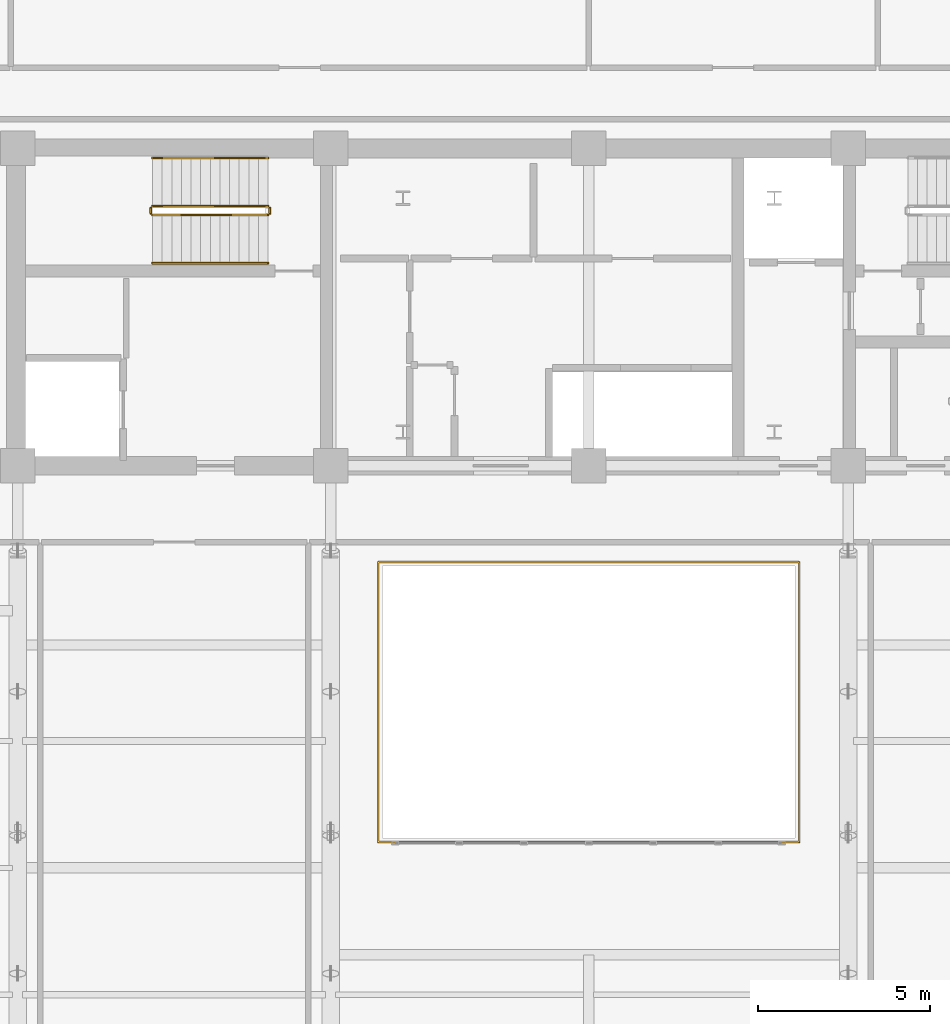
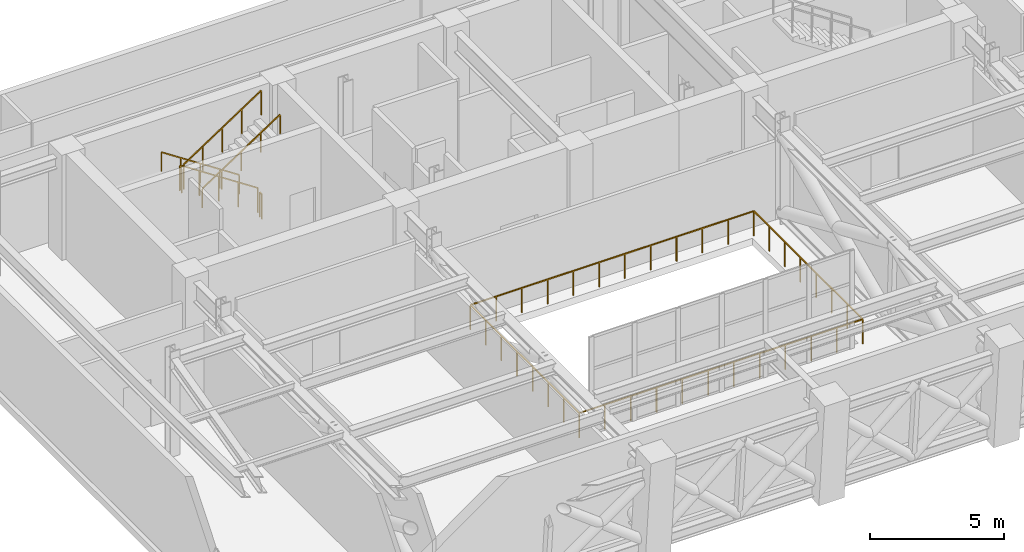
# One storey, part 10 of 12: 7 railings.
"""IFC4 building model written with IfcOpenShell, lengths in metres."""

import ifcopenshell
import ifcopenshell.guid

model = None  # the IFC model being written
_history = None  # IfcOwnerHistory: only IFC2X3 demands one
_inside = {}  # id of a spatial element -> (the spatial element, [elements in it])
_under = {}  # id of a project, library or spatial element -> (it, [spatial elements below it])
_declared = {}  # id of a project -> (the project, [libraries it declares])
_typed = {}  # id of a type object -> (the type object, [elements of that type])
_made_of = {}  # id of a material, layer set ... -> (it, [elements and type objects made of it])


def new_model(schema):
    """Start an empty IFC model of exactly this schema.

    Asked for "IFC4X3", IfcOpenShell would pick the latest addendum, in which some entities
    have other attributes; the version numbers below select the first issue.
    IFC2X3 requires an IfcOwnerHistory on every rooted entity: one is made here for all.
    """
    global model, _history
    if schema == "IFC4X3":
        model = ifcopenshell.file(schema_version=(4, 3, 0, 0))
    else:
        model = ifcopenshell.file(schema=schema)
    _inside.clear()
    _under.clear()
    _declared.clear()
    _typed.clear()
    _made_of.clear()
    _history = None
    if model.schema == "IFC2X3":
        org = make("IfcOrganization", Name="unknown")
        user = make(
            "IfcPersonAndOrganization",
            ThePerson=make("IfcPerson", FamilyName="unknown"),
            TheOrganization=org,
        )
        app = make(
            "IfcApplication",
            ApplicationDeveloper=org,
            Version="unknown",
            ApplicationFullName="unknown",
            ApplicationIdentifier="unknown",
        )
        _history = make(
            "IfcOwnerHistory",
            OwningUser=user,
            OwningApplication=app,
            ChangeAction="ADDED",
            CreationDate=0,
        )
    return model


def make(cls, **values):
    """One entity of the class cls with the attributes given. An attribute that is None is left unset."""
    return model.create_entity(
        cls, **{name: value for name, value in values.items() if value is not None}
    )


def rooted(cls, **values):
    """An entity with a GlobalId (a new one), such as an element, a storey or a relation."""
    return make(cls, GlobalId=ifcopenshell.guid.new(), OwnerHistory=_history, **values)


def si_unit(unit_type, name, prefix=None):
    """IfcSIUnit, for example si_unit("LENGTHUNIT", "METRE", prefix="MILLI")."""
    return make("IfcSIUnit", UnitType=unit_type, Prefix=prefix, Name=name)


def assignment(units):
    """IfcUnitAssignment: the units of a project."""
    return None if units is None else make("IfcUnitAssignment", Units=units)


def point(xyz):
    """IfcCartesianPoint."""
    return None if xyz is None else make("IfcCartesianPoint", Coordinates=xyz)


def direction(xyz):
    """IfcDirection."""
    return None if xyz is None else make("IfcDirection", DirectionRatios=xyz)


def frame(location, z_axis=None, x_axis=None):
    """IfcAxis2Placement3D, a coordinate frame: its origin and axes. An axis left out is left unset."""
    return make(
        "IfcAxis2Placement3D",
        Location=point(location),
        Axis=direction(z_axis),
        RefDirection=direction(x_axis),
    )


def frame_2d(location, x_axis=None):
    """IfcAxis2Placement2D, a coordinate frame in the plane: its origin and x axis."""
    return make(
        "IfcAxis2Placement2D", Location=point(location), RefDirection=direction(x_axis)
    )


def origin():
    """The frame at (0, 0, 0) with its axes left unset."""
    return frame((0.0, 0.0, 0.0))


def origin_2d():
    """The frame at (0, 0) in the plane with its x axis left unset."""
    return frame_2d((0.0, 0.0))


def place(relative_to, where):
    """IfcLocalPlacement: puts the frame where relative to a parent placement (None: the world)."""
    return make(
        "IfcLocalPlacement", PlacementRelTo=relative_to, RelativePlacement=where
    )


def context(
    kind, dimensions, precision=None, world=None, true_north=None, identifier=None
):
    """IfcGeometricRepresentationContext, for example the 3D "Model" context."""
    return make(
        "IfcGeometricRepresentationContext",
        ContextIdentifier=identifier,
        ContextType=kind,
        CoordinateSpaceDimension=dimensions,
        Precision=precision,
        WorldCoordinateSystem=world,
        TrueNorth=true_north,
    )


def subcontext(parent, identifier, kind, view, scale=None):
    """IfcGeometricRepresentationSubContext, for example "Body" below "Model"."""
    return make(
        "IfcGeometricRepresentationSubContext",
        ContextIdentifier=identifier,
        ContextType=kind,
        ParentContext=parent,
        TargetScale=scale,
        TargetView=view,
    )


def project(units=None, contexts=None):
    """IfcProject with its units and contexts."""
    return rooted(
        "IfcProject",
        Name="project",
        RepresentationContexts=contexts,
        UnitsInContext=assignment(units),
    )


def spatial(cls, under=None, at=None, **own):
    """A site, building, storey or space (cls), placed at a placement, below another one or the project."""
    s = rooted(cls, ObjectPlacement=at, **own)
    if under is not None:
        _under.setdefault(under.id(), (under, []))[1].append(s)
    return s


def profile(cls, at=None, kind="AREA", **sizes):
    """A parametric profile (cls). Its sizes go by their IFC names, for example OverallWidth=200.0."""
    return make(cls, ProfileType=kind, Position=at, **sizes)


def rectangle(**sizes):
    """IfcRectangleProfileDef."""
    return profile("IfcRectangleProfileDef", **sizes)


def extrude(swept, where, along, depth):
    """IfcExtrudedAreaSolid: the profile swept, set in the frame where, extruded along a direction by depth."""
    return make(
        "IfcExtrudedAreaSolid",
        SweptArea=swept,
        Position=where,
        ExtrudedDirection=direction(along),
        Depth=depth,
    )


def shape(context_of_items, identifier, shape_type, items):
    """IfcShapeRepresentation: the items that make up one representation, for example the "Body"."""
    return make(
        "IfcShapeRepresentation",
        ContextOfItems=context_of_items,
        RepresentationIdentifier=identifier,
        RepresentationType=shape_type,
        Items=items,
    )


def material(Name=None, Category=None):
    """IfcMaterial."""
    return make("IfcMaterial", Name=Name, Category=Category)


def made_of(thing, what):
    """Note that an element or type object is made of a material, layer set ...; save() writes the relation."""
    if what is not None:
        _made_of.setdefault(what.id(), (what, []))[1].append(thing)
    return thing


def type_object(cls, material=None, **own):
    """A type object (cls), such as IfcWallType, which elements share."""
    return made_of(rooted(cls, **own), material)


def element(
    cls,
    number,
    at=None,
    inside=None,
    cuts=None,
    type_object=None,
    material=None,
    context=None,
    identifier="Body",
    shape_type=None,
    held_by="IfcProductDefinitionShape",
    body=None,
    shapes=None,
    **own,
):
    """One element of the class cls, such as IfcWall. Its Tag is "e" and its number.

    at: its placement. inside: the storey or other place that contains it. cuts: it is an
    opening in that element (IfcRelVoidsElement). A single representation is given by context,
    identifier, shape_type and body (its items); several are given by shapes. held_by: the class
    of the entity that holds the representations. save() writes the other relations.
    """
    e = rooted(cls, Tag="e%d" % number, ObjectPlacement=at, **own)
    if body is not None:
        shapes = [shape(context, identifier, shape_type, body)]
    if shapes is not None:
        e.Representation = make(held_by, Representations=shapes)
    if inside is not None:
        _inside.setdefault(inside.id(), (inside, []))[1].append(e)
    if cuts is not None:
        rooted(
            "IfcRelVoidsElement", RelatingBuildingElement=cuts, RelatedOpeningElement=e
        )
    if type_object is not None:
        _typed.setdefault(type_object.id(), (type_object, []))[1].append(e)
    return made_of(e, material)


def aggregate(whole, parts):
    """IfcRelAggregates: a whole, such as a stair, and the parts it consists of."""
    return rooted("IfcRelAggregates", RelatingObject=whole, RelatedObjects=parts)


def save(model, path):
    """Write the relations noted so far, then the file.

    IfcRelAggregates (storeys below a building ...), IfcRelContainedInSpatialStructure (elements
    in a storey), IfcRelDefinesByType, IfcRelAssociatesMaterial and IfcRelDeclares: one each for
    every whole, place, type object, material and project.
    """
    for whole, parts in _under.values():
        aggregate(whole, parts)
    for where, things in _inside.values():
        rooted(
            "IfcRelContainedInSpatialStructure",
            RelatedElements=things,
            RelatingStructure=where,
        )
    for kind, things in _typed.values():
        rooted("IfcRelDefinesByType", RelatedObjects=things, RelatingType=kind)
    for what, things in _made_of.values():
        rooted("IfcRelAssociatesMaterial", RelatedObjects=things, RelatingMaterial=what)
    for by, libraries in _declared.values():
        rooted("IfcRelDeclares", RelatingContext=by, RelatedDefinitions=libraries)
    model.write(path)


model = new_model("IFC4")

# Units and contexts
model_context = context("Model", 3, precision=1e-05, world=origin(), true_north=direction((0.0, 1.0)))
body_context = subcontext(model_context, "Body", "Model", "MODEL_VIEW")
ifc_project = project(units=[si_unit("LENGTHUNIT", "METRE"), si_unit("AREAUNIT", "SQUARE_METRE"), si_unit("VOLUMEUNIT", "CUBIC_METRE"), si_unit("PLANEANGLEUNIT", "RADIAN"), si_unit("MASSUNIT", "GRAM", prefix="KILO")], contexts=[model_context])

# Site, building, storey
site_placement = place(None, origin())
site = spatial("IfcSite", under=ifc_project, at=site_placement, CompositionType="ELEMENT")
building_placement = place(site_placement, origin())
building = spatial("IfcBuilding", under=site, at=building_placement, Name="Zarnavel Station Tower", CompositionType="ELEMENT")
storey_placement = place(building_placement, frame((0.0, 0.0, 188.39990234375)))
storey = spatial("IfcBuildingStorey", under=building, at=storey_placement, Name="L51", CompositionType="ELEMENT", Elevation=188.39990234375)

# Railings
ifc_material_1 = material(Name="Painted Steel S355J2 Balustrade", Category="steel")
railing_type_1 = type_object("IfcRailingType", Name="GR_INT_1150", PredefinedType="GUARDRAIL", material=ifc_material_1)
railing_1_placement = place(storey_placement, frame((19.47998046875, 35.3701171875, 0.184814453125)))
element("IfcRailing", 1, at=railing_1_placement, inside=storey, type_object=railing_type_1, Name="L51 ST1 stair guard 1", PredefinedType="GUARDRAIL", context=body_context, shape_type="SweptSolid", body=[
    extrude(rectangle(XDim=0.048095703125, YDim=0.048095703125, at=origin_2d()), frame((-0.001708984375, 0.0, 1.126953125), z_axis=(-0.834858096282, 0.0, 0.550465220583), x_axis=(0.0, -1.0, 0.0)), (0.0, 0.0, 1.0), 4.0205078125),
    extrude(rectangle(XDim=0.0419921875, YDim=0.0419921875, at=origin_2d()), origin(), (0.0, 0.0, 1.0), 1.101806640625),
    extrude(rectangle(XDim=0.0419921875, YDim=0.0419921875, at=origin_2d()), frame((-0.83984375, 0.0, 0.5537109375)), (0.0, 0.0, 1.0), 1.101806640625),
    extrude(rectangle(XDim=0.0419921875, YDim=0.0419921875, at=origin_2d()), frame((-1.679931640625, 0.0, 1.107666015625)), (0.0, 0.0, 1.0), 1.101806640625),
    extrude(rectangle(XDim=0.0419921875, YDim=0.0419921875, at=origin_2d()), frame((-2.52001953125, 0.0, 1.66162109375)), (0.0, 0.0, 1.0), 1.101806640625),
    extrude(rectangle(XDim=0.0419921875, YDim=0.0419921875, at=origin_2d()), frame((-3.35986328125, 0.0, 2.21533203125)), (0.0, 0.0, 1.0), 1.101806640625),
])
railing_2_placement = place(storey_placement, frame((16.070068359375, 35.320068359375, 2.400146484375)))
element("IfcRailing", 2, at=railing_2_placement, inside=storey, type_object=railing_type_1, Name="L51 ST1 stair guard 2", PredefinedType="GUARDRAIL", context=body_context, shape_type="SweptSolid", body=[
    extrude(rectangle(XDim=0.048095703125, YDim=0.048095703125, at=origin_2d()), frame((0.0, -0.001953125, 1.1259765625), z_axis=(0.0, -1.0, 0.0), x_axis=(1.0, 0.0, 0.0)), (0.0, 0.0, 1.0), 0.15625),
    extrude(rectangle(XDim=0.0419921875, YDim=0.0419921875, at=origin_2d()), origin(), (0.0, 0.0, 1.0), 1.101806640625),
    extrude(rectangle(XDim=0.0419921875, YDim=0.0419921875, at=origin_2d()), frame((0.0, -0.16015625, 0.0)), (0.0, 0.0, 1.0), 1.101806640625),
])
railing_3_placement = place(storey_placement, frame((16.1201171875, 35.110107421875, 2.584716796875)))
element("IfcRailing", 3, at=railing_3_placement, inside=storey, type_object=railing_type_1, Name="L51 ST1 stair guard 3", PredefinedType="GUARDRAIL", context=body_context, shape_type="SweptSolid", body=[
    extrude(rectangle(XDim=0.048095703125, YDim=0.048095703125, at=origin_2d()), frame((0.001708984375, 0.0, 1.126953125), z_axis=(0.834858096282, 0.0, 0.550465220583), x_axis=(0.0, 1.0, 0.0)), (0.0, 0.0, 1.0), 4.0205078125),
    extrude(rectangle(XDim=0.0419921875, YDim=0.0419921875, at=origin_2d()), origin(), (0.0, 0.0, 1.0), 1.101806640625),
    extrude(rectangle(XDim=0.0419921875, YDim=0.0419921875, at=origin_2d()), frame((0.83984375, 0.0, 0.5537109375)), (0.0, 0.0, 1.0), 1.101806640625),
    extrude(rectangle(XDim=0.0419921875, YDim=0.0419921875, at=origin_2d()), frame((1.679931640625, 0.0, 1.107666015625)), (0.0, 0.0, 1.0), 1.101806640625),
    extrude(rectangle(XDim=0.0419921875, YDim=0.0419921875, at=origin_2d()), frame((2.52001953125, 0.0, 1.66162109375)), (0.0, 0.0, 1.0), 1.101806640625),
    extrude(rectangle(XDim=0.0419921875, YDim=0.0419921875, at=origin_2d()), frame((3.35986328125, 0.0, 2.21533203125)), (0.0, 0.0, 1.0), 1.101806640625),
])
railing_4_placement = place(storey_placement, frame((19.530029296875, 35.320068359375, 0.0)))
element("IfcRailing", 4, at=railing_4_placement, inside=storey, type_object=railing_type_1, Name="L51 ST1 stair guard 4", PredefinedType="GUARDRAIL", context=body_context, shape_type="SweptSolid", body=[
    extrude(rectangle(XDim=0.048095703125, YDim=0.048095703125, at=origin_2d()), frame((0.0, -0.001953125, 1.1259765625), z_axis=(0.0, -1.0, 0.0), x_axis=(1.0, 0.0, 0.0)), (0.0, 0.0, 1.0), 0.15625),
    extrude(rectangle(XDim=0.0419921875, YDim=0.0419921875, at=origin_2d()), origin(), (0.0, 0.0, 1.0), 1.101806640625),
    extrude(rectangle(XDim=0.0419921875, YDim=0.0419921875, at=origin_2d()), frame((0.0, -0.16015625, 0.0)), (0.0, 0.0, 1.0), 1.101806640625),
])
railing_5_placement = place(storey_placement, frame((22.679931640625, 16.8798828125, 0.0)))
element("IfcRailing", 5, at=railing_5_placement, inside=storey, type_object=railing_type_1, Name="L51 Atrium Void Guardrail", PredefinedType="GUARDRAIL", context=body_context, shape_type="SweptSolid", body=[
    extrude(rectangle(XDim=0.048095703125, YDim=0.048095703125, at=origin_2d()), frame((0.001953125, 0.0, 1.1259765625), z_axis=(1.0, 0.0, 0.0), x_axis=(0.0, 1.0, 0.0)), (0.0, 0.0, 1.0), 12.236083984375),
    extrude(rectangle(XDim=0.048095703125, YDim=0.048095703125, at=origin_2d()), frame((12.239990234375, 0.001953125, 1.1259765625), z_axis=(0.0, 1.0, 0.0), x_axis=(-1.0, 0.0, 0.0)), (0.0, 0.0, 1.0), 8.13623046875),
    extrude(rectangle(XDim=0.048095703125, YDim=0.048095703125, at=origin_2d()), frame((12.238037109375, 8.14013671875, 1.1259765625), z_axis=(-1.0, 0.0, 0.0), x_axis=(0.0, -1.0, 0.0)), (0.0, 0.0, 1.0), 12.236083984375),
    extrude(rectangle(XDim=0.048095703125, YDim=0.048095703125, at=origin_2d()), frame((0.0, 8.13818359375, 1.1259765625), z_axis=(0.0, -1.0, 0.0), x_axis=(1.0, 0.0, 0.0)), (0.0, 0.0, 1.0), 8.13623046875),
    extrude(rectangle(XDim=0.0419921875, YDim=0.0419921875, at=origin_2d()), origin(), (0.0, 0.0, 1.0), 1.101806640625),
    extrude(rectangle(XDim=0.0419921875, YDim=0.0419921875, at=origin_2d()), frame((1.11279296875, 0.0, 0.0)), (0.0, 0.0, 1.0), 1.101806640625),
    extrude(rectangle(XDim=0.0419921875, YDim=0.0419921875, at=origin_2d()), frame((2.225341796875, 0.0, 0.0)), (0.0, 0.0, 1.0), 1.101806640625),
    extrude(rectangle(XDim=0.0419921875, YDim=0.0419921875, at=origin_2d()), frame((3.338134765625, 0.0, 0.0)), (0.0, 0.0, 1.0), 1.101806640625),
    extrude(rectangle(XDim=0.0419921875, YDim=0.0419921875, at=origin_2d()), frame((4.450927734375, 0.0, 0.0)), (0.0, 0.0, 1.0), 1.101806640625),
    extrude(rectangle(XDim=0.0419921875, YDim=0.0419921875, at=origin_2d()), frame((5.563720703125, 0.0, 0.0)), (0.0, 0.0, 1.0), 1.101806640625),
    extrude(rectangle(XDim=0.0419921875, YDim=0.0419921875, at=origin_2d()), frame((6.67626953125, 0.0, 0.0)), (0.0, 0.0, 1.0), 1.101806640625),
    extrude(rectangle(XDim=0.0419921875, YDim=0.0419921875, at=origin_2d()), frame((7.7890625, 0.0, 0.0)), (0.0, 0.0, 1.0), 1.101806640625),
    extrude(rectangle(XDim=0.0419921875, YDim=0.0419921875, at=origin_2d()), frame((8.90185546875, 0.0, 0.0)), (0.0, 0.0, 1.0), 1.101806640625),
    extrude(rectangle(XDim=0.0419921875, YDim=0.0419921875, at=origin_2d()), frame((10.0146484375, 0.0, 0.0)), (0.0, 0.0, 1.0), 1.101806640625),
    extrude(rectangle(XDim=0.0419921875, YDim=0.0419921875, at=origin_2d()), frame((11.127197265625, 0.0, 0.0)), (0.0, 0.0, 1.0), 1.101806640625),
    extrude(rectangle(XDim=0.0419921875, YDim=0.0419921875, at=origin_2d()), frame((12.239990234375, 0.0, 0.0)), (0.0, 0.0, 1.0), 1.101806640625),
    extrude(rectangle(XDim=0.0419921875, YDim=0.0419921875, at=origin_2d()), frame((12.239990234375, 1.162841796875, 0.0)), (0.0, 0.0, 1.0), 1.101806640625),
    extrude(rectangle(XDim=0.0419921875, YDim=0.0419921875, at=origin_2d()), frame((12.239990234375, 2.32568359375, 0.0)), (0.0, 0.0, 1.0), 1.101806640625),
    extrude(rectangle(XDim=0.0419921875, YDim=0.0419921875, at=origin_2d()), frame((12.239990234375, 3.488525390625, 0.0)), (0.0, 0.0, 1.0), 1.101806640625),
    extrude(rectangle(XDim=0.0419921875, YDim=0.0419921875, at=origin_2d()), frame((12.239990234375, 4.651611328125, 0.0)), (0.0, 0.0, 1.0), 1.101806640625),
    extrude(rectangle(XDim=0.0419921875, YDim=0.0419921875, at=origin_2d()), frame((12.239990234375, 5.814453125, 0.0)), (0.0, 0.0, 1.0), 1.101806640625),
    extrude(rectangle(XDim=0.0419921875, YDim=0.0419921875, at=origin_2d()), frame((12.239990234375, 6.977294921875, 0.0)), (0.0, 0.0, 1.0), 1.101806640625),
    extrude(rectangle(XDim=0.0419921875, YDim=0.0419921875, at=origin_2d()), frame((12.239990234375, 8.14013671875, 0.0)), (0.0, 0.0, 1.0), 1.101806640625),
    extrude(rectangle(XDim=0.0419921875, YDim=0.0419921875, at=origin_2d()), frame((11.127197265625, 8.14013671875, 0.0)), (0.0, 0.0, 1.0), 1.101806640625),
    extrude(rectangle(XDim=0.0419921875, YDim=0.0419921875, at=origin_2d()), frame((10.0146484375, 8.14013671875, 0.0)), (0.0, 0.0, 1.0), 1.101806640625),
    extrude(rectangle(XDim=0.0419921875, YDim=0.0419921875, at=origin_2d()), frame((8.90185546875, 8.14013671875, 0.0)), (0.0, 0.0, 1.0), 1.101806640625),
    extrude(rectangle(XDim=0.0419921875, YDim=0.0419921875, at=origin_2d()), frame((7.7890625, 8.14013671875, 0.0)), (0.0, 0.0, 1.0), 1.101806640625),
    extrude(rectangle(XDim=0.0419921875, YDim=0.0419921875, at=origin_2d()), frame((6.67626953125, 8.14013671875, 0.0)), (0.0, 0.0, 1.0), 1.101806640625),
    extrude(rectangle(XDim=0.0419921875, YDim=0.0419921875, at=origin_2d()), frame((5.563720703125, 8.14013671875, 0.0)), (0.0, 0.0, 1.0), 1.101806640625),
    extrude(rectangle(XDim=0.0419921875, YDim=0.0419921875, at=origin_2d()), frame((4.450927734375, 8.14013671875, 0.0)), (0.0, 0.0, 1.0), 1.101806640625),
    extrude(rectangle(XDim=0.0419921875, YDim=0.0419921875, at=origin_2d()), frame((3.338134765625, 8.14013671875, 0.0)), (0.0, 0.0, 1.0), 1.101806640625),
    extrude(rectangle(XDim=0.0419921875, YDim=0.0419921875, at=origin_2d()), frame((2.225341796875, 8.14013671875, 0.0)), (0.0, 0.0, 1.0), 1.101806640625),
    extrude(rectangle(XDim=0.0419921875, YDim=0.0419921875, at=origin_2d()), frame((1.11279296875, 8.14013671875, 0.0)), (0.0, 0.0, 1.0), 1.101806640625),
    extrude(rectangle(XDim=0.0419921875, YDim=0.0419921875, at=origin_2d()), frame((0.0, 8.14013671875, 0.0)), (0.0, 0.0, 1.0), 1.101806640625),
    extrude(rectangle(XDim=0.0419921875, YDim=0.0419921875, at=origin_2d()), frame((0.0, 6.977294921875, 0.0)), (0.0, 0.0, 1.0), 1.101806640625),
    extrude(rectangle(XDim=0.0419921875, YDim=0.0419921875, at=origin_2d()), frame((0.0, 5.814453125, 0.0)), (0.0, 0.0, 1.0), 1.101806640625),
    extrude(rectangle(XDim=0.0419921875, YDim=0.0419921875, at=origin_2d()), frame((0.0, 4.651611328125, 0.0)), (0.0, 0.0, 1.0), 1.101806640625),
    extrude(rectangle(XDim=0.0419921875, YDim=0.0419921875, at=origin_2d()), frame((0.0, 3.488525390625, 0.0)), (0.0, 0.0, 1.0), 1.101806640625),
    extrude(rectangle(XDim=0.0419921875, YDim=0.0419921875, at=origin_2d()), frame((0.0, 2.32568359375, 0.0)), (0.0, 0.0, 1.0), 1.101806640625),
    extrude(rectangle(XDim=0.0419921875, YDim=0.0419921875, at=origin_2d()), frame((0.0, 1.162841796875, 0.0)), (0.0, 0.0, 1.0), 1.101806640625),
])
ifc_material_2 = material(Name="Brushed Stainless Steel S355J2 Handrail", Category="steel")
railing_type_2 = type_object("IfcRailingType", Name="HR_STAIR_900", PredefinedType="HANDRAIL", material=ifc_material_2)
railing_6_placement = place(storey_placement, frame((19.47998046875, 36.77001953125, 0.184814453125)))
element("IfcRailing", 6, at=railing_6_placement, inside=storey, type_object=railing_type_2, Name="L51 ST1 stair handrail 1", PredefinedType="HANDRAIL", context=body_context, shape_type="SweptSolid", body=[
    extrude(rectangle(XDim=0.048095703125, YDim=0.048095703125, at=origin_2d()), frame((-0.001708984375, 0.0, 0.876953125), z_axis=(-0.834858096282, 0.0, 0.550465220583), x_axis=(0.0, -1.0, 0.0)), (0.0, 0.0, 1.0), 4.0205078125),
    extrude(rectangle(XDim=0.0419921875, YDim=0.0419921875, at=origin_2d()), origin(), (0.0, 0.0, 1.0), 0.851806640625),
    extrude(rectangle(XDim=0.0419921875, YDim=0.0419921875, at=origin_2d()), frame((-0.83984375, 0.0, 0.5537109375)), (0.0, 0.0, 1.0), 0.851806640625),
    extrude(rectangle(XDim=0.0419921875, YDim=0.0419921875, at=origin_2d()), frame((-1.679931640625, 0.0, 1.107666015625)), (0.0, 0.0, 1.0), 0.851806640625),
    extrude(rectangle(XDim=0.0419921875, YDim=0.0419921875, at=origin_2d()), frame((-2.52001953125, 0.0, 1.66162109375)), (0.0, 0.0, 1.0), 0.851806640625),
    extrude(rectangle(XDim=0.0419921875, YDim=0.0419921875, at=origin_2d()), frame((-3.35986328125, 0.0, 2.21533203125)), (0.0, 0.0, 1.0), 0.851806640625),
])
railing_7_placement = place(storey_placement, frame((16.1201171875, 33.7099609375, 2.584716796875)))
element("IfcRailing", 7, at=railing_7_placement, inside=storey, type_object=railing_type_2, Name="L51 ST1 stair handrail 2", PredefinedType="HANDRAIL", context=body_context, shape_type="SweptSolid", body=[
    extrude(rectangle(XDim=0.048095703125, YDim=0.048095703125, at=origin_2d()), frame((0.001708984375, 0.0, 0.876953125), z_axis=(0.834858096282, 0.0, 0.550465220583), x_axis=(0.0, 1.0, 0.0)), (0.0, 0.0, 1.0), 4.0205078125),
    extrude(rectangle(XDim=0.0419921875, YDim=0.0419921875, at=origin_2d()), origin(), (0.0, 0.0, 1.0), 0.851806640625),
    extrude(rectangle(XDim=0.0419921875, YDim=0.0419921875, at=origin_2d()), frame((0.83984375, 0.0, 0.5537109375)), (0.0, 0.0, 1.0), 0.851806640625),
    extrude(rectangle(XDim=0.0419921875, YDim=0.0419921875, at=origin_2d()), frame((1.679931640625, 0.0, 1.107666015625)), (0.0, 0.0, 1.0), 0.851806640625),
    extrude(rectangle(XDim=0.0419921875, YDim=0.0419921875, at=origin_2d()), frame((2.52001953125, 0.0, 1.66162109375)), (0.0, 0.0, 1.0), 0.851806640625),
    extrude(rectangle(XDim=0.0419921875, YDim=0.0419921875, at=origin_2d()), frame((3.35986328125, 0.0, 2.21533203125)), (0.0, 0.0, 1.0), 0.851806640625),
])

save(model, "model.ifc")
